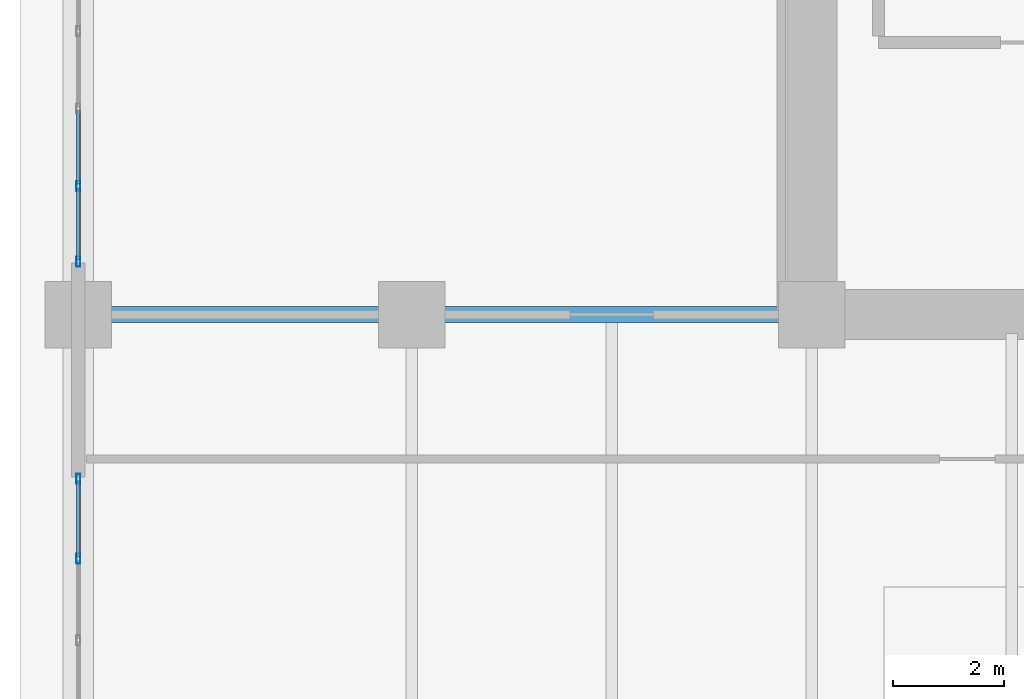
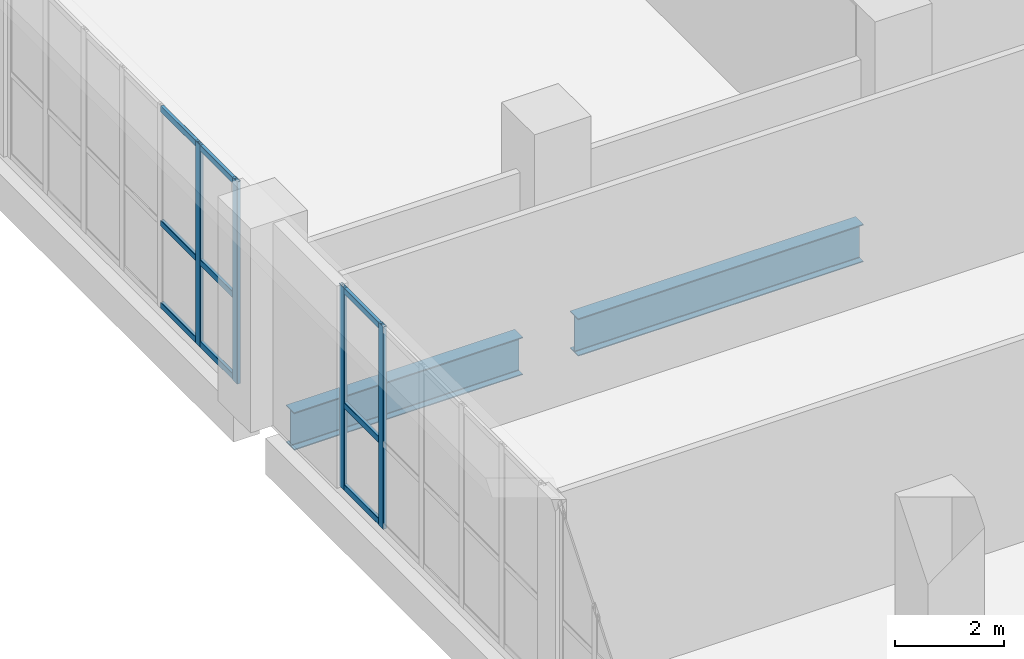
# One storey, part 10 of 37: 13 members, 2 beams, 2 elements without a shape of their own.
"""IFC4 building model written with IfcOpenShell, lengths in metres."""

from ifc_helpers import new_model, si_unit, direction, frame, origin, origin_2d, place, context, subcontext, project, spatial, hollow_rectangle, i_section, extrude, material, layer, layer_set, material_profile, profile_set, type_object, element, aggregate, save


model = new_model("IFC4")

# Units and contexts
model_context = context("Model", 3, precision=1e-05, world=origin(), true_north=direction((0.0, 1.0)))
body_context = subcontext(model_context, "Body", "Model", "MODEL_VIEW")
ifc_project = project(units=[si_unit("LENGTHUNIT", "METRE"), si_unit("AREAUNIT", "SQUARE_METRE"), si_unit("VOLUMEUNIT", "CUBIC_METRE"), si_unit("PLANEANGLEUNIT", "RADIAN"), si_unit("MASSUNIT", "GRAM", prefix="KILO")], contexts=[model_context])

# Site, building, storey
site_placement = place(None, origin())
site = spatial("IfcSite", under=ifc_project, at=site_placement, CompositionType="ELEMENT")
building_placement = place(site_placement, origin())
building = spatial("IfcBuilding", under=site, at=building_placement, Name="Kaelvorn Grand Hotel", CompositionType="ELEMENT")
storey_placement = place(building_placement, frame((0.0, 0.0, 224.35009765625)))
storey = spatial("IfcBuildingStorey", under=building, at=storey_placement, Name="L55", CompositionType="ELEMENT", Elevation=224.35009765625)

# Beams
ifc_material_1 = material(Name="Steel S355", Category="steel")
ifc_material_profile_1 = material_profile(ifc_material_1, i_section(OverallWidth=0.29248046875, OverallDepth=0.8408203125, WebThickness=0.0146484375, FlangeThickness=0.021728515625, FilletRadius=0.017822265625, at=origin_2d()), Name="UB 838x292x194")
ifc_profile_set_1 = profile_set([ifc_material_profile_1], Name="Steel S355")
beam_type = type_object("IfcBeamType", Name="BM-G-UB838-S355", PredefinedType="BEAM", material=ifc_profile_set_1)
beam_1_placement = place(storey_placement, frame((3.5849609375, 29.39990234375, -0.660400390625), z_axis=(1.0, 0.0, 0.0), x_axis=(0.0, 1.0, 0.0)))
element("IfcBeam", 1, at=beam_1_placement, inside=storey, type_object=beam_type, Name="L55 West Core Wing Steel Girder G-29W 01", PredefinedType="BEAM", context=body_context, shape_type="SweptSolid", body=[
    extrude(i_section(OverallWidth=0.29248046875, OverallDepth=0.8408203125, WebThickness=0.0146484375, FlangeThickness=0.021728515625, FilletRadius=0.017822265625, at=origin_2d()), origin(), (0.0, 0.0, 1.0), 4.830078125),
])
beam_2_placement = place(storey_placement, frame((9.5849609375, 29.39990234375, -0.660400390625), z_axis=(1.0, 0.0, 0.0), x_axis=(0.0, 1.0, 0.0)))
element("IfcBeam", 2, at=beam_2_placement, inside=storey, type_object=beam_type, Name="L55 West Core Wing Steel Girder G-29W 02", PredefinedType="BEAM", context=body_context, shape_type="SweptSolid", body=[
    extrude(i_section(OverallWidth=0.29248046875, OverallDepth=0.8408203125, WebThickness=0.0146484375, FlangeThickness=0.021728515625, FilletRadius=0.017822265625, at=origin_2d()), origin(), (0.0, 0.0, 1.0), 6.030029296875),
])

# Curtain wall, members
ifc_material_2 = material(Name="Anodised Aluminium", Category="aluminium")
ifc_layer = layer(ifc_material_2, 0.179931640625)
ifc_layer_set = layer_set([ifc_layer], Name="Anodised Aluminium")
curtain_wall_type = type_object("IfcCurtainWallType", Name="CW-SYS4", PredefinedType="NOTDEFINED", material=ifc_layer_set)
curtain_wall_1_placement = place(storey_placement, origin())
curtain_wall_1 = element("IfcCurtainWall", 3, at=curtain_wall_1_placement, inside=storey, type_object=curtain_wall_type, Name="L55 Unitised Curtain Wall CW4 (CW-L55-W-04)", PredefinedType="NOTDEFINED")
ifc_material_profile_2 = material_profile(ifc_material_2, hollow_rectangle(XDim=0.070068359375, YDim=0.179931640625, WallThickness=0.00390625, InnerFilletRadius=0.00390625, OuterFilletRadius=0.008056640625, at=origin_2d()), Name="ALU MULL 70x180")
ifc_profile_set_2 = profile_set([ifc_material_profile_2], Name="Anodised Aluminium")
member_type_1 = type_object("IfcMemberType", Name="CW-SYS4-MULL", PredefinedType="MULLION", material=ifc_profile_set_2)
member_1_placement = place(storey_placement, frame((3.0, 31.71337890625, 0.0), z_axis=(0.0, 0.0, 1.0), x_axis=(1.0, 0.0, 0.0)))
member_1 = element("IfcMember", 4, at=member_1_placement, type_object=member_type_1, Name="CW4 mullion 6", PredefinedType="MULLION", context=body_context, shape_type="SweptSolid", body=[
    extrude(hollow_rectangle(XDim=0.070068359375, YDim=0.179931640625, WallThickness=0.00390625, InnerFilletRadius=0.00390625, OuterFilletRadius=0.008056640625, at=origin_2d()), origin(), (0.0, 0.0, 1.0), 4.52001953125),
])
member_2_placement = place(storey_placement, frame((3.0, 30.35498046875, 0.0), z_axis=(0.0, 0.0, 1.0), x_axis=(1.0, 0.0, 0.0)))
member_2 = element("IfcMember", 5, at=member_2_placement, type_object=member_type_1, Name="CW4 mullion 7", PredefinedType="MULLION", context=body_context, shape_type="SweptSolid", body=[
    extrude(hollow_rectangle(XDim=0.070068359375, YDim=0.179931640625, WallThickness=0.00390625, InnerFilletRadius=0.00390625, OuterFilletRadius=0.008056640625, at=origin_2d()), origin(), (0.0, 0.0, 1.0), 4.52001953125),
])

curtain_wall_2_placement = place(storey_placement, origin())
curtain_wall_2 = element("IfcCurtainWall", 6, at=curtain_wall_2_placement, inside=storey, type_object=curtain_wall_type, Name="L55 Unitised Curtain Wall CW4 (CW-L55-W-03)", PredefinedType="NOTDEFINED")
member_3_placement = place(storey_placement, frame((3.0, 26.445068359375, 0.0), z_axis=(0.0, 0.0, 1.0), x_axis=(1.0, 0.0, 0.0)))
member_3 = element("IfcMember", 7, at=member_3_placement, type_object=member_type_1, Name="CW4 mullion 1", PredefinedType="MULLION", context=body_context, shape_type="SweptSolid", body=[
    extrude(hollow_rectangle(XDim=0.070068359375, YDim=0.179931640625, WallThickness=0.00390625, InnerFilletRadius=0.00390625, OuterFilletRadius=0.008056640625, at=origin_2d()), origin(), (0.0, 0.0, 1.0), 4.52001953125),
])
member_4_placement = place(storey_placement, frame((3.0, 25.008056640625, 0.0), z_axis=(0.0, 0.0, 1.0), x_axis=(1.0, 0.0, 0.0)))
member_4 = element("IfcMember", 8, at=member_4_placement, type_object=member_type_1, Name="CW4 mullion 2", PredefinedType="MULLION", context=body_context, shape_type="SweptSolid", body=[
    extrude(hollow_rectangle(XDim=0.070068359375, YDim=0.179931640625, WallThickness=0.00390625, InnerFilletRadius=0.00390625, OuterFilletRadius=0.008056640625, at=origin_2d()), origin(), (0.0, 0.0, 1.0), 4.52001953125),
])

# Member
ifc_material_profile_3 = material_profile(ifc_material_2, hollow_rectangle(XDim=0.070068359375, YDim=0.135009765625, WallThickness=0.00341796875, InnerFilletRadius=0.00341796875, OuterFilletRadius=0.007080078125, at=origin_2d()), Name="ALU TRAN 70x135")
ifc_profile_set_3 = profile_set([ifc_material_profile_3], Name="Anodised Aluminium")
member_type_2 = type_object("IfcMemberType", Name="CW-SYS4-TRAN", PredefinedType="NOTDEFINED", material=ifc_profile_set_3)
member_5_placement = place(storey_placement, frame((3.0, 33.07177734375, 0.0673828125), z_axis=(0.0, -1.0, 0.0), x_axis=(1.0, 0.0, 0.0)))
member_5 = element("IfcMember", 9, at=member_5_placement, type_object=member_type_2, Name="CW4 transom 5.1", ObjectType="TRANSOM", PredefinedType="USERDEFINED", context=body_context, shape_type="SweptSolid", body=[
    extrude(hollow_rectangle(XDim=0.070068359375, YDim=0.135009765625, WallThickness=0.00341796875, InnerFilletRadius=0.00341796875, OuterFilletRadius=0.007080078125, at=origin_2d()), origin(), (0.0, 0.0, 1.0), 1.323486328125),
])

member_6_placement = place(storey_placement, frame((3.0, 33.07177734375, 1.898193359375), z_axis=(0.0, -1.0, 0.0), x_axis=(1.0, 0.0, 0.0)))
member_6 = element("IfcMember", 10, at=member_6_placement, type_object=member_type_2, Name="CW4 transom 5.2", ObjectType="TRANSOM", PredefinedType="USERDEFINED", context=body_context, shape_type="SweptSolid", body=[
    extrude(hollow_rectangle(XDim=0.070068359375, YDim=0.135009765625, WallThickness=0.00341796875, InnerFilletRadius=0.00341796875, OuterFilletRadius=0.007080078125, at=origin_2d()), origin(), (0.0, 0.0, 1.0), 1.323486328125),
])

member_7_placement = place(storey_placement, frame((3.0, 33.07177734375, 4.452392578125), z_axis=(0.0, -1.0, 0.0), x_axis=(1.0, 0.0, 0.0)))
member_7 = element("IfcMember", 11, at=member_7_placement, type_object=member_type_2, Name="CW4 transom 5.3", ObjectType="TRANSOM", PredefinedType="USERDEFINED", context=body_context, shape_type="SweptSolid", body=[
    extrude(hollow_rectangle(XDim=0.070068359375, YDim=0.135009765625, WallThickness=0.00341796875, InnerFilletRadius=0.00341796875, OuterFilletRadius=0.007080078125, at=origin_2d()), origin(), (0.0, 0.0, 1.0), 1.323486328125),
])

member_8_placement = place(storey_placement, frame((3.0, 31.67822265625, 0.0673828125), z_axis=(0.0, -1.0, 0.0), x_axis=(1.0, 0.0, 0.0)))
member_8 = element("IfcMember", 12, at=member_8_placement, type_object=member_type_2, Name="CW4 transom 6.1", ObjectType="TRANSOM", PredefinedType="USERDEFINED", context=body_context, shape_type="SweptSolid", body=[
    extrude(hollow_rectangle(XDim=0.070068359375, YDim=0.135009765625, WallThickness=0.00341796875, InnerFilletRadius=0.00341796875, OuterFilletRadius=0.007080078125, at=origin_2d()), origin(), (0.0, 0.0, 1.0), 1.288330078125),
])

member_9_placement = place(storey_placement, frame((3.0, 31.67822265625, 1.898193359375), z_axis=(0.0, -1.0, 0.0), x_axis=(1.0, 0.0, 0.0)))
member_9 = element("IfcMember", 13, at=member_9_placement, type_object=member_type_2, Name="CW4 transom 6.2", ObjectType="TRANSOM", PredefinedType="USERDEFINED", context=body_context, shape_type="SweptSolid", body=[
    extrude(hollow_rectangle(XDim=0.070068359375, YDim=0.135009765625, WallThickness=0.00341796875, InnerFilletRadius=0.00341796875, OuterFilletRadius=0.007080078125, at=origin_2d()), origin(), (0.0, 0.0, 1.0), 1.288330078125),
])

member_10_placement = place(storey_placement, frame((3.0, 31.67822265625, 4.452392578125), z_axis=(0.0, -1.0, 0.0), x_axis=(1.0, 0.0, 0.0)))
member_10 = element("IfcMember", 14, at=member_10_placement, type_object=member_type_2, Name="CW4 transom 6.3", ObjectType="TRANSOM", PredefinedType="USERDEFINED", context=body_context, shape_type="SweptSolid", body=[
    extrude(hollow_rectangle(XDim=0.070068359375, YDim=0.135009765625, WallThickness=0.00341796875, InnerFilletRadius=0.00341796875, OuterFilletRadius=0.007080078125, at=origin_2d()), origin(), (0.0, 0.0, 1.0), 1.288330078125),
])

aggregate(curtain_wall_1, [member_1, member_2, member_5, member_6, member_7, member_8, member_9, member_10])

member_11_placement = place(storey_placement, frame((3.0, 26.409912109375, 0.0673828125), z_axis=(0.0, -1.0, 0.0), x_axis=(1.0, 0.0, 0.0)))
member_11 = element("IfcMember", 15, at=member_11_placement, type_object=member_type_2, Name="CW4 transom 1.1", ObjectType="TRANSOM", PredefinedType="USERDEFINED", context=body_context, shape_type="SweptSolid", body=[
    extrude(hollow_rectangle(XDim=0.070068359375, YDim=0.135009765625, WallThickness=0.00341796875, InnerFilletRadius=0.00341796875, OuterFilletRadius=0.007080078125, at=origin_2d()), origin(), (0.0, 0.0, 1.0), 1.366943359375),
])

member_12_placement = place(storey_placement, frame((3.0, 26.409912109375, 1.898193359375), z_axis=(0.0, -1.0, 0.0), x_axis=(1.0, 0.0, 0.0)))
member_12 = element("IfcMember", 16, at=member_12_placement, type_object=member_type_2, Name="CW4 transom 1.2", ObjectType="TRANSOM", PredefinedType="USERDEFINED", context=body_context, shape_type="SweptSolid", body=[
    extrude(hollow_rectangle(XDim=0.070068359375, YDim=0.135009765625, WallThickness=0.00341796875, InnerFilletRadius=0.00341796875, OuterFilletRadius=0.007080078125, at=origin_2d()), origin(), (0.0, 0.0, 1.0), 1.366943359375),
])

member_13_placement = place(storey_placement, frame((3.0, 26.409912109375, 4.452392578125), z_axis=(0.0, -1.0, 0.0), x_axis=(1.0, 0.0, 0.0)))
member_13 = element("IfcMember", 17, at=member_13_placement, type_object=member_type_2, Name="CW4 transom 1.3", ObjectType="TRANSOM", PredefinedType="USERDEFINED", context=body_context, shape_type="SweptSolid", body=[
    extrude(hollow_rectangle(XDim=0.070068359375, YDim=0.135009765625, WallThickness=0.00341796875, InnerFilletRadius=0.00341796875, OuterFilletRadius=0.007080078125, at=origin_2d()), origin(), (0.0, 0.0, 1.0), 1.366943359375),
])

aggregate(curtain_wall_2, [member_3, member_4, member_11, member_12, member_13])

save(model, "model.ifc")
